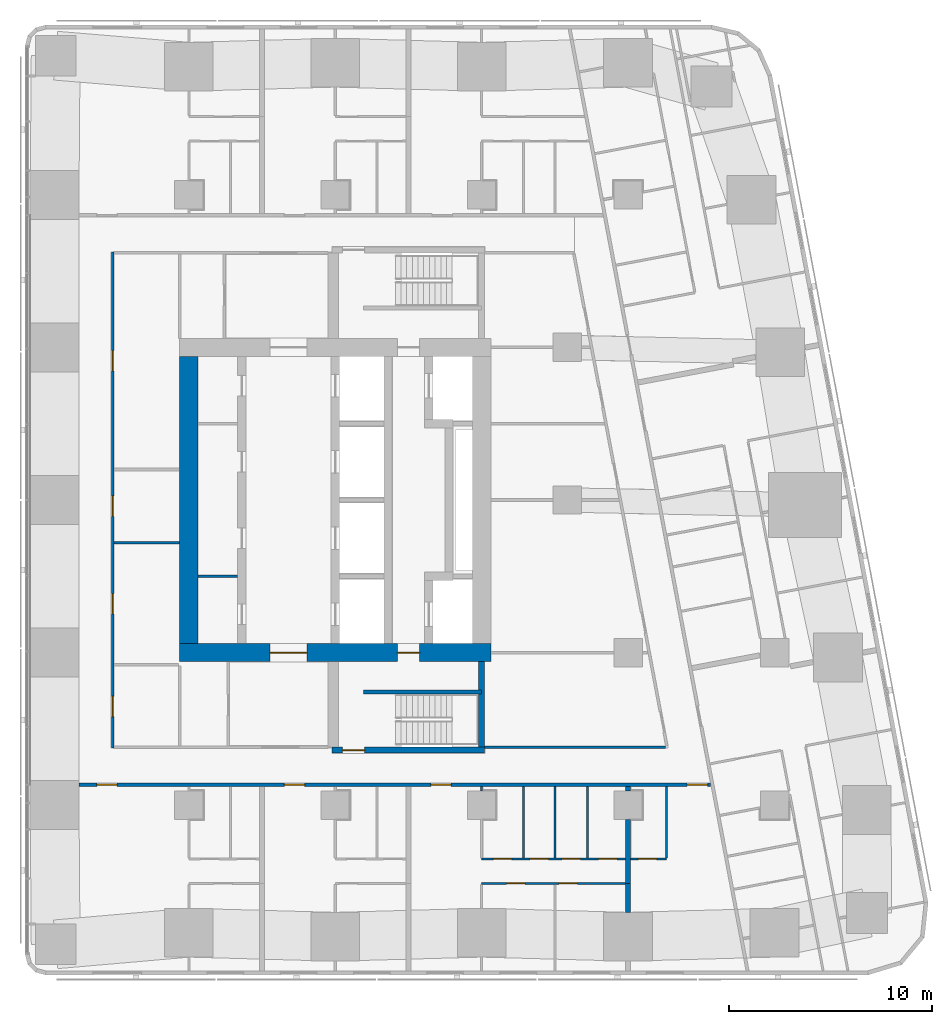
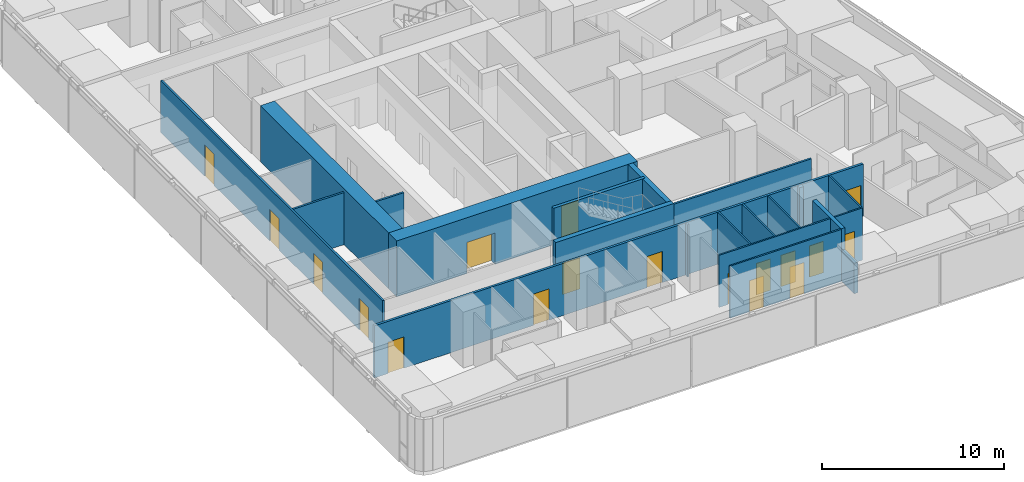
# One storey, part 8 of 17: 21 walls, 18 doors, 18 openings.
"""IFC4 building model written with IfcOpenShell, lengths in metres."""

from ifc_helpers import new_model, si_unit, direction, frame, frame_2d, origin, place, context, subcontext, project, spatial, rectangle, extrude, material, layer, layer_set, type_object, element, fill, save


model = new_model("IFC4")

# Units and contexts
model_context = context("Model", 3, precision=1e-05, world=origin(), true_north=direction((0.0, 1.0)))
body_context = subcontext(model_context, "Body", "Model", "MODEL_VIEW")
ifc_project = project(units=[si_unit("LENGTHUNIT", "METRE"), si_unit("AREAUNIT", "SQUARE_METRE"), si_unit("VOLUMEUNIT", "CUBIC_METRE"), si_unit("PLANEANGLEUNIT", "RADIAN"), si_unit("MASSUNIT", "GRAM", prefix="KILO")], contexts=[model_context])

# Site, building, storey
site_placement = place(None, origin())
site = spatial("IfcSite", under=ifc_project, at=site_placement, CompositionType="ELEMENT")
building_placement = place(site_placement, origin())
building = spatial("IfcBuilding", under=site, at=building_placement, Name="Sheger Commons Tower", CompositionType="ELEMENT")
storey_placement = place(building_placement, frame((0.0, 0.0, 204.949951171875)))
storey = spatial("IfcBuildingStorey", under=building, at=storey_placement, Name="L52", CompositionType="ELEMENT", Elevation=204.949951171875)

# Wall, openings, doors
ifc_material_1 = material(Name="Concrete C50/60", Category="concrete")
ifc_layer_1 = layer(ifc_material_1, 0.89990234375)
ifc_layer_set_1 = layer_set([ifc_layer_1], Name="CORE WALL 900")
wall_type_1 = type_object("IfcWallType", Name="CORE WALL 900", PredefinedType="SHEAR", material=ifc_layer_set_1)
wall_1_placement = place(storey_placement, frame((13.949951171875, 15.0, 0.0), z_axis=(0.0, 0.0, 1.0), x_axis=(1.0, 0.0, 0.0)))
wall_1 = element("IfcWall", 1, at=wall_1_placement, inside=storey, type_object=wall_type_1, Name="Core wall south L52", PredefinedType="SHEAR", context=body_context, shape_type="SweptSolid", body=[
    extrude(rectangle(XDim=15.300048828125, YDim=0.89990234375, at=frame_2d((7.64990234375, 0.0))), origin(), (0.0, 0.0, 1.0), 3.75),
])
opening_1_placement = place(wall_1_placement, frame((4.449951171875, 0.0, 0.0)))
opening_1 = element("IfcOpeningElement", 2, at=opening_1_placement, cuts=wall_1, Name="Opening D6", PredefinedType="OPENING", context=body_context, shape_type="SweptSolid", body=[
    extrude(rectangle(XDim=1.800048828125, YDim=2.10009765625, at=frame_2d((0.89990234375, 1.050048828125))), frame((0.0, 0.4599609375, 0.0), z_axis=(0.0, -1.0, 0.0), x_axis=(1.0, 0.0, 0.0)), (0.0, 0.0, 1.0), 0.919921875),
])
opening_2_placement = place(wall_1_placement, frame((10.699951171875, 0.0, 0.0)))
opening_2 = element("IfcOpeningElement", 3, at=opening_2_placement, cuts=wall_1, Name="Opening D5", PredefinedType="OPENING", context=body_context, shape_type="SweptSolid", body=[
    extrude(rectangle(XDim=1.10009765625, YDim=2.10009765625, at=frame_2d((0.550048828125, 1.050048828125))), frame((0.0, 0.4599609375, 0.0), z_axis=(0.0, -1.0, 0.0), x_axis=(1.0, 0.0, 0.0)), (0.0, 0.0, 1.0), 0.919921875),
])
ifc_material_2 = material(Name="Steel door set, fire rated", Category="steel")
door_type_1 = type_object("IfcDoorType", Name="LOBBY DOUBLE DOOR 1800x2100", OperationType="DOUBLE_DOOR_SINGLE_SWING", PredefinedType="DOOR", material=ifc_material_2)
door_1_placement = place(opening_1_placement, origin())
door_1 = element("IfcDoor", 4, at=door_1_placement, inside=storey, type_object=door_type_1, Name="Lift lobby door", OperationType="DOUBLE_DOOR_SINGLE_SWING", OverallHeight=2.10009765625, OverallWidth=1.800048828125, PredefinedType="DOOR", context=body_context, shape_type="SweptSolid", body=[
    extrude(rectangle(XDim=1.800048828125, YDim=2.10009765625, at=frame_2d((0.89990234375, 1.050048828125))), frame((0.0, 0.02490234375, 0.0), z_axis=(0.0, -1.0, 0.0), x_axis=(1.0, 0.0, 0.0)), (0.0, 0.0, 1.0), 0.050048828125),
])
fill(opening_1, door_1)
ifc_material_3 = material(Name="Steel door set, fire rated", Category="steel")
door_type_2 = type_object("IfcDoorType", Name="STAIR DOOR 1100x2100", OperationType="NOTDEFINED", PredefinedType="DOOR", material=ifc_material_3)
door_2_placement = place(opening_2_placement, origin())
door_2 = element("IfcDoor", 5, at=door_2_placement, inside=storey, type_object=door_type_2, Name="Fire-fighting lobby door", OperationType="SINGLE_SWING_LEFT", OverallHeight=2.10009765625, OverallWidth=1.10009765625, PredefinedType="DOOR", context=body_context, shape_type="SweptSolid", body=[
    extrude(rectangle(XDim=1.10009765625, YDim=2.10009765625, at=frame_2d((0.550048828125, 1.050048828125))), frame((0.0, 0.02490234375, 0.0), z_axis=(0.0, -1.0, 0.0), x_axis=(1.0, 0.0, 0.0)), (0.0, 0.0, 1.0), 0.050048828125),
])
fill(opening_2, door_2)

# Wall
wall_2_placement = place(storey_placement, frame((14.39990234375, 15.449951171875, 0.0), z_axis=(0.0, 0.0, 1.0), x_axis=(0.0, 1.0, 0.0)))
element("IfcWall", 6, at=wall_2_placement, inside=storey, type_object=wall_type_1, Name="Core wall west L52", PredefinedType="SHEAR", context=body_context, shape_type="SweptSolid", body=[
    extrude(rectangle(XDim=14.10009765625, YDim=0.89990234375, at=frame_2d((7.050048828125, 0.0))), origin(), (0.0, 0.0, 1.0), 3.75),
])

# Wall, openings, doors
ifc_material_4 = material(Name="Hollow concrete block masonry, skimmed both sides", Category="masonry")
ifc_layer_2 = layer(ifc_material_4, 0.14990234375)
ifc_layer_set_2 = layer_set([ifc_layer_2], Name="CORRIDOR WALL 150")
wall_type_2 = type_object("IfcWallType", Name="CORRIDOR WALL 150", PredefinedType="SOLIDWALL", material=ifc_layer_set_2)
wall_3_placement = place(storey_placement, frame((40.052978515625, 8.5, 0.0), z_axis=(0.0, 0.0, 1.0), x_axis=(-1.0, 0.0, 0.0)))
wall_3 = element("IfcWall", 7, at=wall_3_placement, inside=storey, type_object=wall_type_2, Name="Corridor wall L52", PredefinedType="SOLIDWALL", context=body_context, shape_type="SweptSolid", body=[
    extrude(rectangle(XDim=31.052001953125, YDim=0.14990234375, at=frame_2d((15.52587890625, 0.0))), origin(), (0.0, 0.0, 1.0), 3.5),
])
opening_3_placement = place(wall_3_placement, frame((29.177978515625, 0.0, 0.0)))
opening_3 = element("IfcOpeningElement", 8, at=opening_3_placement, cuts=wall_3, Name="Opening D1", PredefinedType="OPENING", context=body_context, shape_type="SweptSolid", body=[
    extrude(rectangle(XDim=1.0, YDim=2.10009765625, at=frame_2d((0.5, 1.050048828125))), frame((0.0, 0.0849609375, 0.0), z_axis=(0.0, -1.0, 0.0), x_axis=(1.0, 0.0, 0.0)), (0.0, 0.0, 1.0), 0.169921875),
])
opening_4_placement = place(wall_3_placement, frame((19.952880859375, 0.0, 0.0)))
opening_4 = element("IfcOpeningElement", 9, at=opening_4_placement, cuts=wall_3, Name="Opening D1", PredefinedType="OPENING", context=body_context, shape_type="SweptSolid", body=[
    extrude(rectangle(XDim=1.0, YDim=2.10009765625, at=frame_2d((0.5, 1.050048828125))), frame((0.0, 0.0849609375, 0.0), z_axis=(0.0, -1.0, 0.0), x_axis=(1.0, 0.0, 0.0)), (0.0, 0.0, 1.0), 0.169921875),
])
opening_5_placement = place(wall_3_placement, frame((12.7529296875, 0.0, 0.0)))
opening_5 = element("IfcOpeningElement", 10, at=opening_5_placement, cuts=wall_3, Name="Opening D1", PredefinedType="OPENING", context=body_context, shape_type="SweptSolid", body=[
    extrude(rectangle(XDim=1.0, YDim=2.10009765625, at=frame_2d((0.5, 1.050048828125))), frame((0.0, 0.0849609375, 0.0), z_axis=(0.0, -1.0, 0.0), x_axis=(1.0, 0.0, 0.0)), (0.0, 0.0, 1.0), 0.169921875),
])
opening_6_placement = place(wall_3_placement, frame((0.14990234375, 0.0, 0.0)))
opening_6 = element("IfcOpeningElement", 11, at=opening_6_placement, cuts=wall_3, Name="Opening D1", PredefinedType="OPENING", context=body_context, shape_type="SweptSolid", body=[
    extrude(rectangle(XDim=1.0, YDim=2.10009765625, at=frame_2d((0.5, 1.050048828125))), frame((0.0, 0.0849609375, 0.0), z_axis=(0.0, -1.0, 0.0), x_axis=(1.0, 0.0, 0.0)), (0.0, 0.0, 1.0), 0.169921875),
])
ifc_material_5 = material(Name="Steel door set, fire rated", Category="steel")
door_type_3 = type_object("IfcDoorType", Name="FLAT ENTRANCE DOOR 1000x2100", OperationType="NOTDEFINED", PredefinedType="DOOR", material=ifc_material_5)
door_3_placement = place(opening_3_placement, origin())
door_3 = element("IfcDoor", 12, at=door_3_placement, inside=storey, type_object=door_type_3, Name="Flat entrance door", OperationType="SINGLE_SWING_RIGHT", OverallHeight=2.10009765625, OverallWidth=1.0, PredefinedType="DOOR", context=body_context, shape_type="SweptSolid", body=[
    extrude(rectangle(XDim=1.0, YDim=2.10009765625, at=frame_2d((0.5, 1.050048828125))), frame((0.0, 0.02490234375, 0.0), z_axis=(0.0, -1.0, 0.0), x_axis=(1.0, 0.0, 0.0)), (0.0, 0.0, 1.0), 0.050048828125),
])
fill(opening_3, door_3)
door_4_placement = place(opening_4_placement, origin())
door_4 = element("IfcDoor", 13, at=door_4_placement, inside=storey, type_object=door_type_3, Name="Flat entrance door", OperationType="SINGLE_SWING_RIGHT", OverallHeight=2.10009765625, OverallWidth=1.0, PredefinedType="DOOR", context=body_context, shape_type="SweptSolid", body=[
    extrude(rectangle(XDim=1.0, YDim=2.10009765625, at=frame_2d((0.5, 1.050048828125))), frame((0.0, 0.02490234375, 0.0), z_axis=(0.0, -1.0, 0.0), x_axis=(1.0, 0.0, 0.0)), (0.0, 0.0, 1.0), 0.050048828125),
])
fill(opening_4, door_4)
door_5_placement = place(opening_5_placement, origin())
door_5 = element("IfcDoor", 14, at=door_5_placement, inside=storey, type_object=door_type_3, Name="Flat entrance door", OperationType="SINGLE_SWING_RIGHT", OverallHeight=2.10009765625, OverallWidth=1.0, PredefinedType="DOOR", context=body_context, shape_type="SweptSolid", body=[
    extrude(rectangle(XDim=1.0, YDim=2.10009765625, at=frame_2d((0.5, 1.050048828125))), frame((0.0, 0.02490234375, 0.0), z_axis=(0.0, -1.0, 0.0), x_axis=(1.0, 0.0, 0.0)), (0.0, 0.0, 1.0), 0.050048828125),
])
fill(opening_5, door_5)
door_6_placement = place(opening_6_placement, origin())
door_6 = element("IfcDoor", 15, at=door_6_placement, inside=storey, type_object=door_type_3, Name="Flat entrance door", OperationType="SINGLE_SWING_LEFT", OverallHeight=2.10009765625, OverallWidth=1.0, PredefinedType="DOOR", context=body_context, shape_type="SweptSolid", body=[
    extrude(rectangle(XDim=1.0, YDim=2.10009765625, at=frame_2d((0.5, 1.050048828125))), frame((0.0, 0.02490234375, 0.0), z_axis=(0.0, -1.0, 0.0), x_axis=(1.0, 0.0, 0.0)), (0.0, 0.0, 1.0), 0.050048828125),
])
fill(opening_6, door_6)

# Walls
ifc_material_6 = material(Name="Dense concrete block masonry, plastered both sides (separating wall between flats)", Category="masonry")
ifc_layer_3 = layer(ifc_material_6, 0.25)
ifc_layer_set_3 = layer_set([ifc_layer_3], Name="DEMISING WALL 250")
wall_type_3 = type_object("IfcWallType", Name="DEMISING WALL 250", PredefinedType="SOLIDWALL", material=ifc_layer_set_3)
wall_4_placement = place(storey_placement, frame((36.0, 2.22607421875, 0.0), z_axis=(0.0, 0.0, 1.0), x_axis=(0.0, 1.0, 0.0)))
element("IfcWall", 16, at=wall_4_placement, inside=storey, type_object=wall_type_3, Name="Demising wall L52", PredefinedType="SOLIDWALL", context=body_context, shape_type="SweptSolid", body=[
    extrude(rectangle(XDim=1.423828125, YDim=0.25, at=frame_2d((0.7119140625, 0.0))), origin(), (0.0, 0.0, 1.0), 2.050048828125),
])
wall_5_placement = place(storey_placement, frame((36.0, 3.64990234375, 0.0), z_axis=(0.0, 0.0, 1.0), x_axis=(0.0, 1.0, 0.0)))
element("IfcWall", 17, at=wall_5_placement, inside=storey, type_object=wall_type_3, Name="Demising wall L52", PredefinedType="SOLIDWALL", context=body_context, shape_type="SweptSolid", body=[
    extrude(rectangle(XDim=3.149169921875, YDim=0.25, at=frame_2d((1.57470703125, 0.0))), origin(), (0.0, 0.0, 1.0), 3.5),
])
wall_6_placement = place(storey_placement, frame((36.0, 8.200927734375, 0.0), z_axis=(0.0, 0.0, 1.0), x_axis=(0.0, 1.0, 0.0)))
element("IfcWall", 18, at=wall_6_placement, inside=storey, type_object=wall_type_3, Name="Demising wall L52", PredefinedType="SOLIDWALL", context=body_context, shape_type="SweptSolid", body=[
    extrude(rectangle(XDim=0.22412109375, YDim=0.25, at=frame_2d((0.112060546875, 0.0))), origin(), (0.0, 0.0, 1.0), 3.5),
])

# Wall, openings, doors
ifc_material_7 = material(Name="Gypsum board on steel studs", Category="steel")
ifc_layer_4 = layer(ifc_material_7, 0.10009765625)
ifc_layer_set_4 = layer_set([ifc_layer_4], Name="PARTITION 100")
wall_type_4 = type_object("IfcWallType", Name="PARTITION 100", PredefinedType="PARTITIONING", material=ifc_layer_set_4)
wall_7_placement = place(storey_placement, frame((35.875, 3.64990234375, 0.0), z_axis=(0.0, 0.0, 1.0), x_axis=(-1.0, 0.0, 0.0)))
wall_7 = element("IfcWall", 19, at=wall_7_placement, inside=storey, type_object=wall_type_4, Name="Partition L52", PredefinedType="PARTITIONING", context=body_context, shape_type="SweptSolid", body=[
    extrude(rectangle(XDim=7.074951171875, YDim=0.10009765625, at=frame_2d((3.53759765625, 0.0))), origin(), (0.0, 0.0, 1.0), 3.5),
])
opening_7_placement = place(wall_7_placement, frame((4.949951171875, 0.0, 0.0)))
opening_7 = element("IfcOpeningElement", 20, at=opening_7_placement, cuts=wall_7, Name="Opening D2", PredefinedType="OPENING", context=body_context, shape_type="SweptSolid", body=[
    extrude(rectangle(XDim=0.89990234375, YDim=2.10009765625, at=frame_2d((0.449951171875, 1.050048828125))), frame((0.0, 0.06005859375, 0.0), z_axis=(0.0, -1.0, 0.0), x_axis=(1.0, 0.0, 0.0)), (0.0, 0.0, 1.0), 0.1201171875),
])
opening_8_placement = place(wall_7_placement, frame((2.375, 0.0, 0.0)))
opening_8 = element("IfcOpeningElement", 21, at=opening_8_placement, cuts=wall_7, Name="Opening D2", PredefinedType="OPENING", context=body_context, shape_type="SweptSolid", body=[
    extrude(rectangle(XDim=0.89990234375, YDim=2.10009765625, at=frame_2d((0.449951171875, 1.050048828125))), frame((0.0, 0.06005859375, 0.0), z_axis=(0.0, -1.0, 0.0), x_axis=(1.0, 0.0, 0.0)), (0.0, 0.0, 1.0), 0.1201171875),
])
ifc_material_8 = material(Name="Timber door set", Category="wood")
door_type_4 = type_object("IfcDoorType", Name="INTERNAL DOOR 900x2100", OperationType="NOTDEFINED", PredefinedType="DOOR", material=ifc_material_8)
door_7_placement = place(opening_7_placement, origin())
door_7 = element("IfcDoor", 22, at=door_7_placement, inside=storey, type_object=door_type_4, Name="Main bedroom door", OperationType="SINGLE_SWING_RIGHT", OverallHeight=2.10009765625, OverallWidth=0.89990234375, PredefinedType="DOOR", context=body_context, shape_type="SweptSolid", body=[
    extrude(rectangle(XDim=0.89990234375, YDim=2.10009765625, at=frame_2d((0.449951171875, 1.050048828125))), frame((0.0, 0.02490234375, 0.0), z_axis=(0.0, -1.0, 0.0), x_axis=(1.0, 0.0, 0.0)), (0.0, 0.0, 1.0), 0.050048828125),
])
fill(opening_7, door_7)
door_8_placement = place(opening_8_placement, origin())
door_8 = element("IfcDoor", 23, at=door_8_placement, inside=storey, type_object=door_type_4, Name="Bedroom 2 door", OperationType="SINGLE_SWING_RIGHT", OverallHeight=2.10009765625, OverallWidth=0.89990234375, PredefinedType="DOOR", context=body_context, shape_type="SweptSolid", body=[
    extrude(rectangle(XDim=0.89990234375, YDim=2.10009765625, at=frame_2d((0.449951171875, 1.050048828125))), frame((0.0, 0.02490234375, 0.0), z_axis=(0.0, -1.0, 0.0), x_axis=(1.0, 0.0, 0.0)), (0.0, 0.0, 1.0), 0.050048828125),
])
fill(opening_8, door_8)

wall_8_placement = place(storey_placement, frame((35.875, 4.85009765625, 0.0), z_axis=(0.0, 0.0, 1.0), x_axis=(-1.0, 0.0, 0.0)))
wall_8 = element("IfcWall", 24, at=wall_8_placement, inside=storey, type_object=wall_type_4, Name="Partition L52", PredefinedType="PARTITIONING", context=body_context, shape_type="SweptSolid", body=[
    extrude(rectangle(XDim=7.074951171875, YDim=0.10009765625, at=frame_2d((3.53759765625, 0.0))), origin(), (0.0, 0.0, 1.0), 3.5),
])
opening_9_placement = place(wall_8_placement, frame((5.60009765625, 0.0, 0.0)))
opening_9 = element("IfcOpeningElement", 25, at=opening_9_placement, cuts=wall_8, Name="Opening D2", PredefinedType="OPENING", context=body_context, shape_type="SweptSolid", body=[
    extrude(rectangle(XDim=0.89990234375, YDim=2.10009765625, at=frame_2d((0.449951171875, 1.050048828125))), frame((0.0, 0.06005859375, 0.0), z_axis=(0.0, -1.0, 0.0), x_axis=(1.0, 0.0, 0.0)), (0.0, 0.0, 1.0), 0.1201171875),
])
opening_10_placement = place(wall_8_placement, frame((2.22509765625, 0.0, 0.0)))
opening_10 = element("IfcOpeningElement", 26, at=opening_10_placement, cuts=wall_8, Name="Opening D2", PredefinedType="OPENING", context=body_context, shape_type="SweptSolid", body=[
    extrude(rectangle(XDim=0.89990234375, YDim=2.10009765625, at=frame_2d((0.449951171875, 1.050048828125))), frame((0.0, 0.06005859375, 0.0), z_axis=(0.0, -1.0, 0.0), x_axis=(1.0, 0.0, 0.0)), (0.0, 0.0, 1.0), 0.1201171875),
])
opening_11_placement = place(wall_8_placement, frame((3.800048828125, 0.0, 0.0)))
opening_11 = element("IfcOpeningElement", 27, at=opening_11_placement, cuts=wall_8, Name="Opening D2", PredefinedType="OPENING", context=body_context, shape_type="SweptSolid", body=[
    extrude(rectangle(XDim=0.89990234375, YDim=2.10009765625, at=frame_2d((0.449951171875, 1.050048828125))), frame((0.0, 0.06005859375, 0.0), z_axis=(0.0, -1.0, 0.0), x_axis=(1.0, 0.0, 0.0)), (0.0, 0.0, 1.0), 0.1201171875),
])
opening_12_placement = place(wall_8_placement, frame((0.425048828125, 0.0, 0.0)))
opening_12 = element("IfcOpeningElement", 28, at=opening_12_placement, cuts=wall_8, Name="Opening D2", PredefinedType="OPENING", context=body_context, shape_type="SweptSolid", body=[
    extrude(rectangle(XDim=0.89990234375, YDim=2.10009765625, at=frame_2d((0.449951171875, 1.050048828125))), frame((0.0, 0.06005859375, 0.0), z_axis=(0.0, -1.0, 0.0), x_axis=(1.0, 0.0, 0.0)), (0.0, 0.0, 1.0), 0.1201171875),
])
door_9_placement = place(opening_9_placement, origin())
door_9 = element("IfcDoor", 29, at=door_9_placement, inside=storey, type_object=door_type_4, Name="Bathroom door", OperationType="SINGLE_SWING_LEFT", OverallHeight=2.10009765625, OverallWidth=0.89990234375, PredefinedType="DOOR", context=body_context, shape_type="SweptSolid", body=[
    extrude(rectangle(XDim=0.89990234375, YDim=2.10009765625, at=frame_2d((0.449951171875, 1.050048828125))), frame((0.0, 0.02490234375, 0.0), z_axis=(0.0, -1.0, 0.0), x_axis=(1.0, 0.0, 0.0)), (0.0, 0.0, 1.0), 0.050048828125),
])
fill(opening_9, door_9)
door_10_placement = place(opening_10_placement, origin())
door_10 = element("IfcDoor", 30, at=door_10_placement, inside=storey, type_object=door_type_4, Name="Shower room door", OperationType="SINGLE_SWING_LEFT", OverallHeight=2.10009765625, OverallWidth=0.89990234375, PredefinedType="DOOR", context=body_context, shape_type="SweptSolid", body=[
    extrude(rectangle(XDim=0.89990234375, YDim=2.10009765625, at=frame_2d((0.449951171875, 1.050048828125))), frame((0.0, 0.02490234375, 0.0), z_axis=(0.0, -1.0, 0.0), x_axis=(1.0, 0.0, 0.0)), (0.0, 0.0, 1.0), 0.050048828125),
])
fill(opening_10, door_10)
door_11_placement = place(opening_11_placement, origin())
door_11 = element("IfcDoor", 31, at=door_11_placement, inside=storey, type_object=door_type_4, Name="Store door", OperationType="SINGLE_SWING_LEFT", OverallHeight=2.10009765625, OverallWidth=0.89990234375, PredefinedType="DOOR", context=body_context, shape_type="SweptSolid", body=[
    extrude(rectangle(XDim=0.89990234375, YDim=2.10009765625, at=frame_2d((0.449951171875, 1.050048828125))), frame((0.0, 0.02490234375, 0.0), z_axis=(0.0, -1.0, 0.0), x_axis=(1.0, 0.0, 0.0)), (0.0, 0.0, 1.0), 0.050048828125),
])
fill(opening_11, door_11)
door_12_placement = place(opening_12_placement, origin())
door_12 = element("IfcDoor", 32, at=door_12_placement, inside=storey, type_object=door_type_4, Name="Store door", OperationType="SINGLE_SWING_RIGHT", OverallHeight=2.10009765625, OverallWidth=0.89990234375, PredefinedType="DOOR", context=body_context, shape_type="SweptSolid", body=[
    extrude(rectangle(XDim=0.89990234375, YDim=2.10009765625, at=frame_2d((0.449951171875, 1.050048828125))), frame((0.0, 0.02490234375, 0.0), z_axis=(0.0, -1.0, 0.0), x_axis=(1.0, 0.0, 0.0)), (0.0, 0.0, 1.0), 0.050048828125),
])
fill(opening_12, door_12)

# Walls
wall_9_placement = place(storey_placement, frame((28.800048828125, 8.200927734375, 0.0), z_axis=(0.0, 0.0, 1.0), x_axis=(0.0, 1.0, 0.0)))
element("IfcWall", 33, at=wall_9_placement, inside=storey, type_object=wall_type_4, Name="Partition L52", PredefinedType="PARTITIONING", context=body_context, shape_type="SweptSolid", body=[
    extrude(rectangle(XDim=0.22412109375, YDim=0.10009765625, at=frame_2d((0.112060546875, 0.0))), origin(), (0.0, 0.0, 1.0), 3.5),
])
for number, where, z_axis, x_axis, name in (
    (34, (32.39990234375, 4.89990234375, 0.0), (0.0, 0.0, 1.0), (0.0, 1.0, 0.0), "Partition L52"),
    (35, (30.85009765625, 4.89990234375, 0.0), (0.0, 0.0, 1.0), (0.0, 1.0, 0.0), "Partition L52"),
    (36, (34.0, 4.89990234375, 0.0), (0.0, 0.0, 1.0), (0.0, 1.0, 0.0), "Partition L52"),
):
    element("IfcWall", number, at=place(storey_placement, frame(where, z_axis=z_axis, x_axis=x_axis)), inside=storey, type_object=wall_type_4, Name=name, PredefinedType="PARTITIONING", context=body_context, shape_type="SweptSolid", body=[
        extrude(rectangle(XDim=3.525146484375, YDim=0.10009765625, at=frame_2d((1.7626953125, 0.0))), origin(), (0.0, 0.0, 1.0), 3.5),
    ])

# Wall, opening, door
wall_10_placement = place(storey_placement, frame((37.889892578125, 4.85009765625, 0.0), z_axis=(0.0, 0.0, 1.0), x_axis=(-1.0, 0.0, 0.0)))
wall_10 = element("IfcWall", 37, at=wall_10_placement, inside=storey, type_object=wall_type_4, Name="Partition L52", PredefinedType="PARTITIONING", context=body_context, shape_type="SweptSolid", body=[
    extrude(rectangle(XDim=1.764892578125, YDim=0.10009765625, at=frame_2d((0.88232421875, 0.0))), origin(), (0.0, 0.0, 1.0), 3.5),
])
opening_13_placement = place(wall_10_placement, frame((0.489990234375, 0.0, 0.0)))
opening_13 = element("IfcOpeningElement", 38, at=opening_13_placement, cuts=wall_10, Name="Opening D2", PredefinedType="OPENING", context=body_context, shape_type="SweptSolid", body=[
    extrude(rectangle(XDim=0.89990234375, YDim=2.10009765625, at=frame_2d((0.449951171875, 1.050048828125))), frame((0.0, 0.06005859375, 0.0), z_axis=(0.0, -1.0, 0.0), x_axis=(1.0, 0.0, 0.0)), (0.0, 0.0, 1.0), 0.1201171875),
])
door_13_placement = place(opening_13_placement, origin())
door_13 = element("IfcDoor", 39, at=door_13_placement, inside=storey, type_object=door_type_4, Name="Shower room door", OperationType="SINGLE_SWING_LEFT", OverallHeight=2.10009765625, OverallWidth=0.89990234375, PredefinedType="DOOR", context=body_context, shape_type="SweptSolid", body=[
    extrude(rectangle(XDim=0.89990234375, YDim=2.10009765625, at=frame_2d((0.449951171875, 1.050048828125))), frame((0.0, 0.02490234375, 0.0), z_axis=(0.0, -1.0, 0.0), x_axis=(1.0, 0.0, 0.0)), (0.0, 0.0, 1.0), 0.050048828125),
])
fill(opening_13, door_13)

# Wall
wall_11_placement = place(storey_placement, frame((37.889892578125, 4.89990234375, 0.0), z_axis=(0.0, 0.0, 1.0), x_axis=(0.0, 1.0, 0.0)))
element("IfcWall", 40, at=wall_11_placement, inside=storey, type_object=wall_type_4, Name="Partition L52", PredefinedType="PARTITIONING", context=body_context, shape_type="SweptSolid", body=[
    extrude(rectangle(XDim=3.525146484375, YDim=0.10009765625, at=frame_2d((1.7626953125, 0.0))), origin(), (0.0, 0.0, 1.0), 3.5),
])

# Wall, openings, doors
ifc_material_9 = material(Name="Gypsum board on steel studs, two layers each side, fire rated", Category="steel")
ifc_layer_5 = layer(ifc_material_9, 0.125)
ifc_layer_set_5 = layer_set([ifc_layer_5], Name="SERVICE WALL 125")
wall_type_5 = type_object("IfcWallType", Name="SERVICE WALL 125", PredefinedType="PARTITIONING", material=ifc_layer_set_5)
wall_12_placement = place(storey_placement, frame((10.64990234375, 10.300048828125, 0.0), z_axis=(0.0, 0.0, 1.0), x_axis=(0.0, 1.0, 0.0)))
wall_12 = element("IfcWall", 41, at=wall_12_placement, inside=storey, type_object=wall_type_5, Name="Service room wall L52", PredefinedType="PARTITIONING", context=body_context, shape_type="SweptSolid", body=[
    extrude(rectangle(XDim=24.39990234375, YDim=0.125, at=frame_2d((12.199951171875, 0.0))), origin(), (0.0, 0.0, 1.0), 3.5),
])
opening_14_placement = place(wall_12_placement, frame((1.550048828125, 0.0, 0.0)))
opening_14 = element("IfcOpeningElement", 42, at=opening_14_placement, cuts=wall_12, Name="Opening D4", PredefinedType="OPENING", context=body_context, shape_type="SweptSolid", body=[
    extrude(rectangle(XDim=1.0, YDim=2.10009765625, at=frame_2d((0.5, 1.050048828125))), frame((0.0, 0.072509765625, 0.0), z_axis=(0.0, -1.0, 0.0), x_axis=(1.0, 0.0, 0.0)), (0.0, 0.0, 1.0), 0.14501953125),
])
opening_15_placement = place(wall_12_placement, frame((6.60009765625, 0.0, 0.0)))
opening_15 = element("IfcOpeningElement", 43, at=opening_15_placement, cuts=wall_12, Name="Opening D4", PredefinedType="OPENING", context=body_context, shape_type="SweptSolid", body=[
    extrude(rectangle(XDim=1.0, YDim=2.10009765625, at=frame_2d((0.5, 1.050048828125))), frame((0.0, 0.072509765625, 0.0), z_axis=(0.0, -1.0, 0.0), x_axis=(1.0, 0.0, 0.0)), (0.0, 0.0, 1.0), 0.14501953125),
])
opening_16_placement = place(wall_12_placement, frame((11.39990234375, 0.0, 0.0)))
opening_16 = element("IfcOpeningElement", 44, at=opening_16_placement, cuts=wall_12, Name="Opening D4", PredefinedType="OPENING", context=body_context, shape_type="SweptSolid", body=[
    extrude(rectangle(XDim=1.0, YDim=2.10009765625, at=frame_2d((0.5, 1.050048828125))), frame((0.0, 0.072509765625, 0.0), z_axis=(0.0, -1.0, 0.0), x_axis=(1.0, 0.0, 0.0)), (0.0, 0.0, 1.0), 0.14501953125),
])
opening_17_placement = place(wall_12_placement, frame((18.550048828125, 0.0, 0.0)))
opening_17 = element("IfcOpeningElement", 45, at=opening_17_placement, cuts=wall_12, Name="Opening D4", PredefinedType="OPENING", context=body_context, shape_type="SweptSolid", body=[
    extrude(rectangle(XDim=1.0, YDim=2.10009765625, at=frame_2d((0.5, 1.050048828125))), frame((0.0, 0.072509765625, 0.0), z_axis=(0.0, -1.0, 0.0), x_axis=(1.0, 0.0, 0.0)), (0.0, 0.0, 1.0), 0.14501953125),
])
ifc_material_10 = material(Name="Steel door set, fire rated", Category="steel")
door_type_5 = type_object("IfcDoorType", Name="SERVICE DOOR 1000x2100", OperationType="NOTDEFINED", PredefinedType="DOOR", material=ifc_material_10)
door_14_placement = place(opening_14_placement, origin())
door_14 = element("IfcDoor", 46, at=door_14_placement, inside=storey, type_object=door_type_5, Name="Refuse chute room door", OperationType="SINGLE_SWING_RIGHT", OverallHeight=2.10009765625, OverallWidth=1.0, PredefinedType="DOOR", context=body_context, shape_type="SweptSolid", body=[
    extrude(rectangle(XDim=1.0, YDim=2.10009765625, at=frame_2d((0.5, 1.050048828125))), frame((0.0, 0.02490234375, 0.0), z_axis=(0.0, -1.0, 0.0), x_axis=(1.0, 0.0, 0.0)), (0.0, 0.0, 1.0), 0.050048828125),
])
fill(opening_14, door_14)
door_15_placement = place(opening_15_placement, origin())
door_15 = element("IfcDoor", 47, at=door_15_placement, inside=storey, type_object=door_type_5, Name="Parcel and delivery room door", OperationType="SINGLE_SWING_LEFT", OverallHeight=2.10009765625, OverallWidth=1.0, PredefinedType="DOOR", context=body_context, shape_type="SweptSolid", body=[
    extrude(rectangle(XDim=1.0, YDim=2.10009765625, at=frame_2d((0.5, 1.050048828125))), frame((0.0, 0.02490234375, 0.0), z_axis=(0.0, -1.0, 0.0), x_axis=(1.0, 0.0, 0.0)), (0.0, 0.0, 1.0), 0.050048828125),
])
fill(opening_15, door_15)
door_16_placement = place(opening_16_placement, origin())
door_16 = element("IfcDoor", 48, at=door_16_placement, inside=storey, type_object=door_type_5, Name="Cleaner's store door", OperationType="SINGLE_SWING_LEFT", OverallHeight=2.10009765625, OverallWidth=1.0, PredefinedType="DOOR", context=body_context, shape_type="SweptSolid", body=[
    extrude(rectangle(XDim=1.0, YDim=2.10009765625, at=frame_2d((0.5, 1.050048828125))), frame((0.0, 0.02490234375, 0.0), z_axis=(0.0, -1.0, 0.0), x_axis=(1.0, 0.0, 0.0)), (0.0, 0.0, 1.0), 0.050048828125),
])
fill(opening_16, door_16)
door_17_placement = place(opening_17_placement, origin())
door_17 = element("IfcDoor", 49, at=door_17_placement, inside=storey, type_object=door_type_5, Name="Residents' gym door", OperationType="SINGLE_SWING_LEFT", OverallHeight=2.10009765625, OverallWidth=1.0, PredefinedType="DOOR", context=body_context, shape_type="SweptSolid", body=[
    extrude(rectangle(XDim=1.0, YDim=2.10009765625, at=frame_2d((0.5, 1.050048828125))), frame((0.0, 0.02490234375, 0.0), z_axis=(0.0, -1.0, 0.0), x_axis=(1.0, 0.0, 0.0)), (0.0, 0.0, 1.0), 0.050048828125),
])
fill(opening_17, door_17)

# Walls
wall_13_placement = place(storey_placement, frame((10.712890625, 20.39990234375, 0.0), z_axis=(0.0, 0.0, 1.0), x_axis=(1.0, 0.0, 0.0)))
element("IfcWall", 50, at=wall_13_placement, inside=storey, type_object=wall_type_5, Name="Service room wall L52", PredefinedType="PARTITIONING", context=body_context, shape_type="SweptSolid", body=[
    extrude(rectangle(XDim=3.237060546875, YDim=0.125, at=frame_2d((1.61865234375, 0.0))), origin(), (0.0, 0.0, 1.0), 3.5),
])
wall_14_placement = place(storey_placement, frame((28.949951171875, 10.35009765625, 0.0), z_axis=(0.0, 0.0, 1.0), x_axis=(1.0, 0.0, 0.0)))
element("IfcWall", 51, at=wall_14_placement, inside=storey, type_object=wall_type_5, Name="Service room wall L52", PredefinedType="PARTITIONING", context=body_context, shape_type="SweptSolid", body=[
    extrude(rectangle(XDim=8.885986328125, YDim=0.125, at=frame_2d((4.44287109375, 0.0))), origin(), (0.0, 0.0, 1.0), 3.5),
])
wall_15_placement = place(storey_placement, frame((14.85009765625, 18.75, 0.0), z_axis=(0.0, 0.0, 1.0), x_axis=(1.0, 0.0, 0.0)))
element("IfcWall", 52, at=wall_15_placement, inside=storey, type_object=wall_type_5, Name="Service room wall L52", PredefinedType="PARTITIONING", context=body_context, shape_type="SweptSolid", body=[
    extrude(rectangle(XDim=1.949951171875, YDim=0.125, at=frame_2d((0.97509765625, 0.0))), origin(), (0.0, 0.0, 1.0), 3.5),
])

# Wall, opening, door
ifc_material_11 = material(Name="Concrete C50/60", Category="concrete")
ifc_layer_6 = layer(ifc_material_11, 0.300048828125)
ifc_layer_set_6 = layer_set([ifc_layer_6], Name="STAIR CORE WALL 300")
wall_type_6 = type_object("IfcWallType", Name="STAIR CORE WALL 300", PredefinedType="SHEAR", material=ifc_layer_set_6)
wall_16_placement = place(storey_placement, frame((21.449951171875, 10.199951171875, 0.0), z_axis=(0.0, 0.0, 1.0), x_axis=(1.0, 0.0, 0.0)))
wall_16 = element("IfcWall", 53, at=wall_16_placement, inside=storey, type_object=wall_type_6, Name="STW-L52-S1S", PredefinedType="SHEAR", context=body_context, shape_type="SweptSolid", body=[
    extrude(rectangle(XDim=7.5, YDim=0.300048828125, at=frame_2d((3.75, 0.0))), origin(), (0.0, 0.0, 1.0), 3.75),
])
opening_18_placement = place(wall_16_placement, frame((0.5, 0.0, 0.0)))
opening_18 = element("IfcOpeningElement", 54, at=opening_18_placement, cuts=wall_16, Name="Opening D5", PredefinedType="OPENING", context=body_context, shape_type="SweptSolid", body=[
    extrude(rectangle(XDim=1.10009765625, YDim=2.10009765625, at=frame_2d((0.550048828125, 1.050048828125))), frame((0.0, 0.159912109375, 0.0), z_axis=(0.0, -1.0, 0.0), x_axis=(1.0, 0.0, 0.0)), (0.0, 0.0, 1.0), 0.320068359375),
])
door_18_placement = place(opening_18_placement, origin())
door_18 = element("IfcDoor", 55, at=door_18_placement, inside=storey, type_object=door_type_2, Name="Stair S1 door", OperationType="SINGLE_SWING_LEFT", OverallHeight=2.10009765625, OverallWidth=1.10009765625, PredefinedType="DOOR", context=body_context, shape_type="SweptSolid", body=[
    extrude(rectangle(XDim=1.10009765625, YDim=2.10009765625, at=frame_2d((0.550048828125, 1.050048828125))), frame((0.0, 0.02490234375, 0.0), z_axis=(0.0, -1.0, 0.0), x_axis=(1.0, 0.0, 0.0)), (0.0, 0.0, 1.0), 0.050048828125),
])
fill(opening_18, door_18)

# Walls
wall_17_placement = place(storey_placement, frame((28.800048828125, 10.35009765625, 0.0), z_axis=(0.0, 0.0, 1.0), x_axis=(0.0, 1.0, 0.0)))
element("IfcWall", 56, at=wall_17_placement, inside=storey, type_object=wall_type_6, Name="STW-L52-S1E", PredefinedType="SHEAR", context=body_context, shape_type="SweptSolid", body=[
    extrude(rectangle(XDim=4.199951171875, YDim=0.300048828125, at=frame_2d((2.10009765625, 0.0))), origin(), (0.0, 0.0, 1.0), 3.75),
])
ifc_material_12 = material(Name="Concrete C50/60", Category="concrete")
ifc_layer_7 = layer(ifc_material_12, 0.199951171875)
ifc_layer_set_7 = layer_set([ifc_layer_7], Name="STAIR SPINE WALL 200")
wall_type_7 = type_object("IfcWallType", Name="STAIR SPINE WALL 200", PredefinedType="SHEAR", material=ifc_layer_set_7)
wall_18_placement = place(storey_placement, frame((23.0, 13.050048828125, 0.0), z_axis=(0.0, 0.0, 1.0), x_axis=(1.0, 0.0, 0.0)))
element("IfcWall", 57, at=wall_18_placement, inside=storey, type_object=wall_type_7, Name="Stair spine wall L52", PredefinedType="SHEAR", context=body_context, shape_type="SweptSolid", body=[
    extrude(rectangle(XDim=5.800048828125, YDim=0.199951171875, at=frame_2d((2.89990234375, 0.0))), origin(), (0.0, 0.0, 1.0), 3.75),
])

save(model, "model.ifc")
